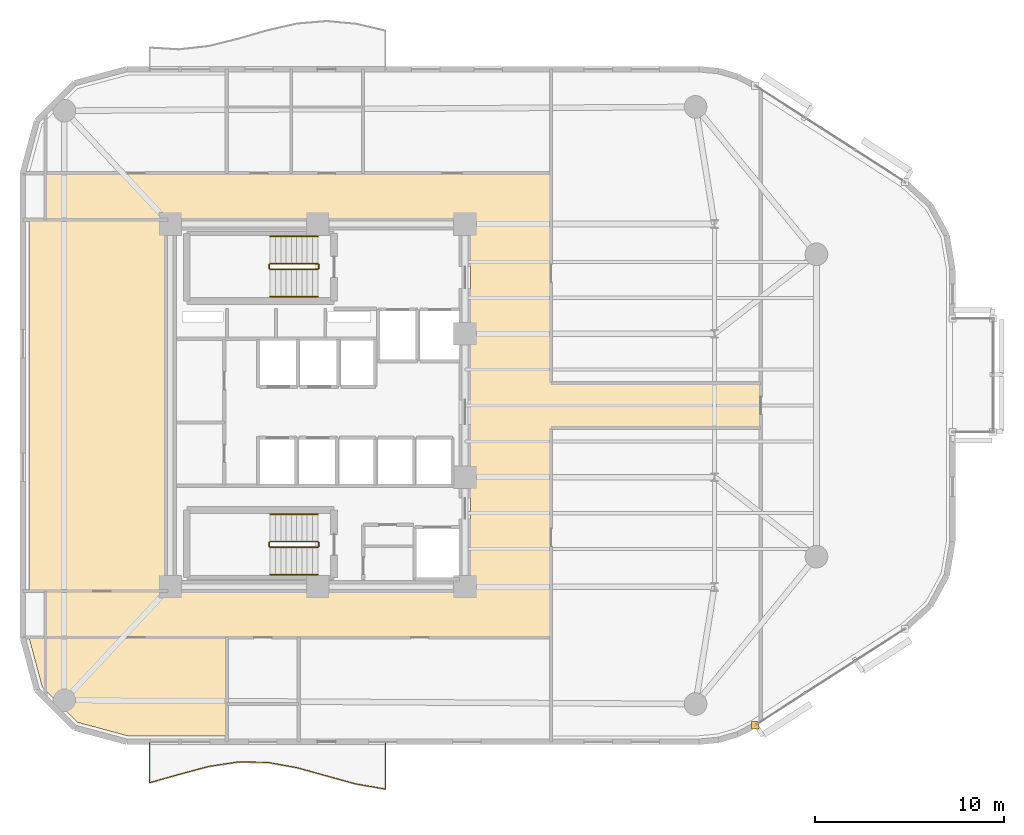
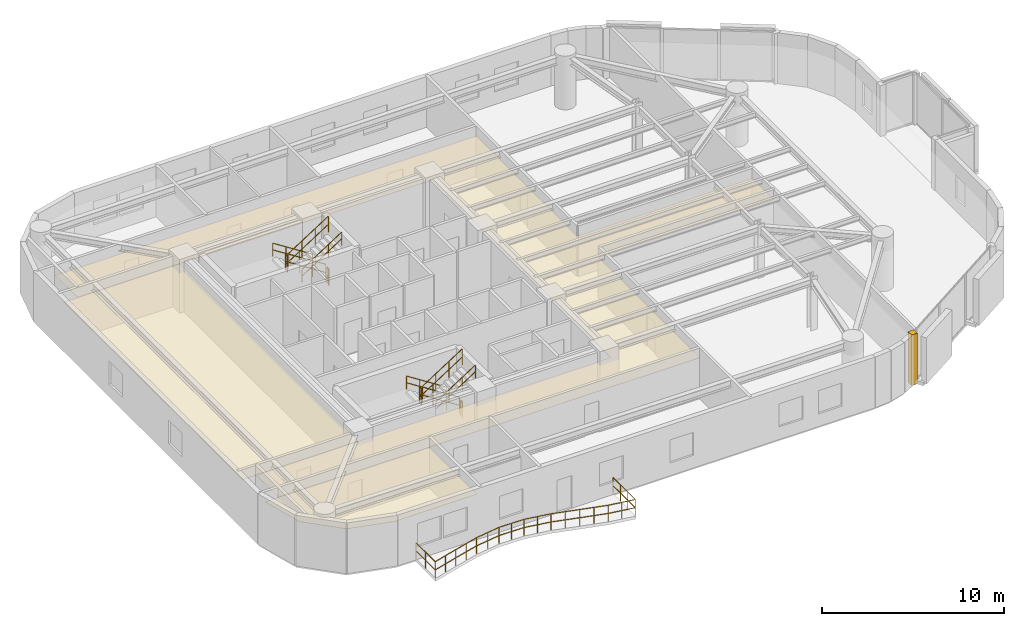
# One storey, part 11 of 12: 13 railings, 4 coverings.
"""IFC4 building model written with IfcOpenShell, lengths in metres."""

from ifc_helpers import new_model, si_unit, direction, frame, origin, origin_2d, place, context, subcontext, project, spatial, polyline, rectangle, circle, outline, extrude, material, layer, layer_set, type_object, element, save


model = new_model("IFC4")

# Units and contexts
model_context = context("Model", 3, precision=1e-05, world=origin(), true_north=direction((0.0, 1.0)))
body_context = subcontext(model_context, "Body", "Model", "MODEL_VIEW")
ifc_project = project(units=[si_unit("LENGTHUNIT", "METRE"), si_unit("AREAUNIT", "SQUARE_METRE"), si_unit("VOLUMEUNIT", "CUBIC_METRE"), si_unit("PLANEANGLEUNIT", "RADIAN"), si_unit("MASSUNIT", "GRAM", prefix="KILO")], contexts=[model_context])

# Site, building, storey
site_placement = place(None, origin())
site = spatial("IfcSite", under=ifc_project, at=site_placement, CompositionType="ELEMENT")
building_placement = place(site_placement, origin())
building = spatial("IfcBuilding", under=site, at=building_placement, Name="An Khanh Terracotta Commons", CompositionType="ELEMENT")
storey_placement = place(building_placement, frame((0.0, 0.0, 161.800048828125)))
storey = spatial("IfcBuildingStorey", under=building, at=storey_placement, Name="L42", CompositionType="ELEMENT", Elevation=161.800048828125)

# Coverings
ifc_material_1 = material(Name="Perforated Mineral-Fibre Acoustic Tile")
ifc_layer_1 = layer(ifc_material_1, 0.02001953125, Name="Perforated Mineral-Fibre Acoustic Tile")
ifc_layer_set_1 = layer_set([ifc_layer_1], Name="Perforated Mineral-Fibre Acoustic Tile")
covering_type_1 = type_object("IfcCoveringType", Name="CEIL-ACOUSTIC-18", PredefinedType="CEILING", material=ifc_layer_set_1)
covering_1_placement = place(storey_placement, frame((0.0, 0.0, 2.64990234375)))
element("IfcCovering", 1, at=covering_1_placement, inside=storey, type_object=covering_type_1, Name="L42 Corridor Ceiling", PredefinedType="CEILING", context=body_context, shape_type="SweptSolid", body=[
    extrude(outline(polyline([(15.0, 11.719970703125), (15.0, 14.179931640625), (37.5, 14.179931640625), (37.5, 33.820068359375), (15.0, 33.820068359375), (15.0, 36.280029296875), (37.5, 36.280029296875), (41.75, 36.280029296875), (41.75, 33.820068359375), (41.75, 25.179931640625), (52.85009765625, 25.179931640625), (52.85009765625, 22.820068359375), (41.75, 22.820068359375), (41.75, 14.179931640625), (41.75, 11.719970703125), (37.5, 11.719970703125), (15.0, 11.719970703125)])), origin(), (0.0, 0.0, 1.0), 0.02001953125),
])
covering_2_placement = place(storey_placement, frame((0.0, 0.0, 2.64990234375)))
element("IfcCovering", 2, at=covering_2_placement, inside=storey, type_object=covering_type_1, Name="L42 Academic Seminar Room Ceiling", PredefinedType="CEILING", context=body_context, shape_type="SweptSolid", body=[
    extrude(outline(polyline([(19.342041015625, 6.52001953125), (16.716064453125, 7.22412109375), (14.823974609375, 9.115966796875), (14.1259765625, 11.719970703125), (15.0, 11.719970703125), (24.60009765625, 11.719970703125), (24.60009765625, 8.199951171875), (24.60009765625, 6.52001953125), (19.342041015625, 6.52001953125)])), origin(), (0.0, 0.0, 1.0), 0.02001953125),
])
covering_3_placement = place(storey_placement, frame((0.0, 0.0, 2.64990234375)))
element("IfcCovering", 3, at=covering_3_placement, inside=storey, type_object=covering_type_1, Name="L42 Riverfront Reading Hall Ceiling", PredefinedType="CEILING", context=body_context, shape_type="SweptSolid", body=[
    extrude(outline(polyline([(14.1201171875, 33.820068359375), (15.0, 33.820068359375), (21.47998046875, 33.820068359375), (21.47998046875, 33.719970703125), (21.47998046875, 14.280029296875), (21.47998046875, 14.179931640625), (15.0, 14.179931640625), (14.1201171875, 14.179931640625), (14.1201171875, 33.820068359375)])), origin(), (0.0, 0.0, 1.0), 0.02001953125),
])
ifc_material_2 = material(Name="Fired Terracotta Rainscreen Cladding", Category="masonry")
ifc_layer_2 = layer(ifc_material_2, 0.080078125, Name="Fired Terracotta Rainscreen Cladding")
ifc_layer_set_2 = layer_set([ifc_layer_2], Name="Fired Terracotta Rainscreen Cladding")
covering_type_2 = type_object("IfcCoveringType", Name="COV-JAMB-TERRA", PredefinedType="CLADDING", material=ifc_layer_set_2)
covering_4_placement = place(storey_placement, frame((52.56005859375, 7.075927734375, 0.0), z_axis=(0.0, 0.0, 1.0), x_axis=(1.0, 0.0, 0.0)))
element("IfcCovering", 4, at=covering_4_placement, inside=storey, type_object=covering_type_2, Name="L42 CW-03 Curtain-Wall Jamb Closure JA", PredefinedType="CLADDING", context=body_context, shape_type="SweptSolid", body=[
    extrude(rectangle(XDim=0.3798828125, YDim=0.3798828125, at=origin_2d()), origin(), (0.0, 0.0, 1.0), 3.39990234375),
])

# Railings
ifc_material_3 = material(Name="Brushed Stainless Steel 316", Category="steel")
railing_type_1 = type_object("IfcRailingType", Name="RAIL-BALUSTRADE-1100", PredefinedType="BALUSTRADE", material=ifc_material_3)
railing_1_placement = place(storey_placement, frame((20.5, 6.139892578125, 0.0)))
element("IfcRailing", 5, at=railing_1_placement, inside=storey, type_object=railing_type_1, Name="L42 S Wave Balcony Guard Balustrade", PredefinedType="BALUSTRADE", context=body_context, shape_type="SweptSolid", body=[
    extrude(circle(Radius=0.02392578125, at=origin_2d()), frame((0.0, 0.0, 1.076171875), z_axis=(0.0, -1.0, 0.0), x_axis=(1.0, 0.0, 0.0)), (0.0, 0.0, 1.0), 2.10498046875),
    extrude(circle(Radius=0.02392578125, at=origin_2d()), frame((0.0, 0.0, 0.52587890625), z_axis=(0.0, -1.0, 0.0), x_axis=(1.0, 0.0, 0.0)), (0.0, 0.0, 1.0), 2.10498046875),
    extrude(circle(Radius=0.02392578125, at=origin_2d()), frame((0.0, -2.10498046875, 1.076171875), z_axis=(0.962196379402, 0.272356618177, 0.0), x_axis=(-0.272356618177, 0.962196379402, 0.0)), (0.0, 0.0, 1.0), 1.623291015625),
    extrude(circle(Radius=0.02392578125, at=origin_2d()), frame((0.0, -2.10498046875, 0.52587890625), z_axis=(0.962196379402, 0.272356618177, 0.0), x_axis=(-0.272356618177, 0.962196379402, 0.0)), (0.0, 0.0, 1.0), 1.623291015625),
    extrude(circle(Radius=0.02392578125, at=origin_2d()), frame((1.56201171875, -1.662841796875, 1.076171875), z_axis=(0.966054375725, 0.258338814627, 0.0), x_axis=(-0.258338814627, 0.966054375725, 0.0)), (0.0, 0.0, 1.0), 1.617919921875),
    extrude(circle(Radius=0.02392578125, at=origin_2d()), frame((1.56201171875, -1.662841796875, 0.52587890625), z_axis=(0.966054375725, 0.258338814627, 0.0), x_axis=(-0.258338814627, 0.966054375725, 0.0)), (0.0, 0.0, 1.0), 1.617919921875),
    extrude(circle(Radius=0.02392578125, at=origin_2d()), frame((3.125, -1.244873046875, 1.076171875), z_axis=(0.988323460888, 0.152370392986, 0.0), x_axis=(-0.152370392986, 0.988323460888, 0.0)), (0.0, 0.0, 1.0), 1.58154296875),
    extrude(circle(Radius=0.02392578125, at=origin_2d()), frame((3.125, -1.244873046875, 0.52587890625), z_axis=(0.988323460888, 0.152370392986, 0.0), x_axis=(-0.152370392986, 0.988323460888, 0.0)), (0.0, 0.0, 1.0), 1.58154296875),
    extrude(circle(Radius=0.02392578125, at=origin_2d()), frame((4.68798828125, -1.00390625, 1.076171875), z_axis=(0.999882711003, -0.015315490103, 0.0), x_axis=(0.015315490103, 0.999882711003, 0.0)), (0.0, 0.0, 1.0), 1.562255859375),
    extrude(circle(Radius=0.02392578125, at=origin_2d()), frame((4.68798828125, -1.00390625, 0.52587890625), z_axis=(0.999882711003, -0.015315490103, 0.0), x_axis=(0.015315490103, 0.999882711003, 0.0)), (0.0, 0.0, 1.0), 1.562255859375),
    extrude(circle(Radius=0.02392578125, at=origin_2d()), frame((6.25, -1.02783203125, 1.076171875), z_axis=(0.984307540876, -0.176461511314, 0.0), x_axis=(0.176461511314, 0.984307540876, 0.0)), (0.0, 0.0, 1.0), 1.5869140625),
    extrude(circle(Radius=0.02392578125, at=origin_2d()), frame((6.25, -1.02783203125, 0.52587890625), z_axis=(0.984307540876, -0.176461511314, 0.0), x_axis=(0.176461511314, 0.984307540876, 0.0)), (0.0, 0.0, 1.0), 1.5869140625),
    extrude(circle(Radius=0.02392578125, at=origin_2d()), frame((7.81201171875, -1.307861328125, 1.076171875), z_axis=(0.963530845868, -0.267597288965, 0.0), x_axis=(0.267597288965, 0.963530845868, 0.0)), (0.0, 0.0, 1.0), 1.6220703125),
    extrude(circle(Radius=0.02392578125, at=origin_2d()), frame((7.81201171875, -1.307861328125, 0.52587890625), z_axis=(0.963530845868, -0.267597288965, 0.0), x_axis=(0.267597288965, 0.963530845868, 0.0)), (0.0, 0.0, 1.0), 1.6220703125),
    extrude(circle(Radius=0.02392578125, at=origin_2d()), frame((9.375, -1.741943359375, 1.076171875), z_axis=(0.964188063465, -0.265219490747, 0.0), x_axis=(0.265219490747, 0.964188063465, 0.0)), (0.0, 0.0, 1.0), 1.62109375),
    extrude(circle(Radius=0.02392578125, at=origin_2d()), frame((9.375, -1.741943359375, 0.52587890625), z_axis=(0.964188063465, -0.265219490747, 0.0), x_axis=(0.265219490747, 0.964188063465, 0.0)), (0.0, 0.0, 1.0), 1.62109375),
    extrude(circle(Radius=0.02392578125, at=origin_2d()), frame((10.93798828125, -2.171875, 1.076171875), z_axis=(0.985591453525, -0.169143391055, 0.0), x_axis=(0.169143391055, 0.985591453525, 0.0)), (0.0, 0.0, 1.0), 1.5849609375),
    extrude(circle(Radius=0.02392578125, at=origin_2d()), frame((10.93798828125, -2.171875, 0.52587890625), z_axis=(0.985591453525, -0.169143391055, 0.0), x_axis=(0.169143391055, 0.985591453525, 0.0)), (0.0, 0.0, 1.0), 1.5849609375),
    extrude(circle(Radius=0.02392578125, at=origin_2d()), frame((12.5, -2.43994140625, 1.076171875), z_axis=(0.0, 1.0, 0.0), x_axis=(-1.0, 0.0, 0.0)), (0.0, 0.0, 1.0), 2.43994140625),
    extrude(circle(Radius=0.02392578125, at=origin_2d()), frame((12.5, -2.43994140625, 0.52587890625), z_axis=(0.0, 1.0, 0.0), x_axis=(-1.0, 0.0, 0.0)), (0.0, 0.0, 1.0), 2.43994140625),
    extrude(circle(Radius=0.02099609375, at=origin_2d()), origin(), (0.0, 0.0, 1.0), 1.052001953125),
    extrude(circle(Radius=0.02099609375, at=origin_2d()), frame((0.0, -1.052490234375, 0.0)), (0.0, 0.0, 1.0), 1.052001953125),
    extrude(circle(Radius=0.02099609375, at=origin_2d()), frame((0.0, -2.10498046875, 0.0)), (0.0, 0.0, 1.0), 1.052001953125),
    extrude(circle(Radius=0.02099609375, at=origin_2d()), frame((0.781005859375, -1.8837890625, 0.0)), (0.0, 0.0, 1.0), 1.052001953125),
    extrude(circle(Radius=0.02099609375, at=origin_2d()), frame((1.56201171875, -1.662841796875, 0.0)), (0.0, 0.0, 1.0), 1.052001953125),
    extrude(circle(Radius=0.02099609375, at=origin_2d()), frame((2.343505859375, -1.453857421875, 0.0)), (0.0, 0.0, 1.0), 1.052001953125),
    extrude(circle(Radius=0.02099609375, at=origin_2d()), frame((3.125, -1.244873046875, 0.0)), (0.0, 0.0, 1.0), 1.052001953125),
    extrude(circle(Radius=0.02099609375, at=origin_2d()), frame((3.906494140625, -1.12451171875, 0.0)), (0.0, 0.0, 1.0), 1.052001953125),
    extrude(circle(Radius=0.02099609375, at=origin_2d()), frame((4.68798828125, -1.00390625, 0.0)), (0.0, 0.0, 1.0), 1.052001953125),
    extrude(circle(Radius=0.02099609375, at=origin_2d()), frame((5.468994140625, -1.015869140625, 0.0)), (0.0, 0.0, 1.0), 1.052001953125),
    extrude(circle(Radius=0.02099609375, at=origin_2d()), frame((6.25, -1.02783203125, 0.0)), (0.0, 0.0, 1.0), 1.052001953125),
    extrude(circle(Radius=0.02099609375, at=origin_2d()), frame((7.031005859375, -1.16796875, 0.0)), (0.0, 0.0, 1.0), 1.052001953125),
    extrude(circle(Radius=0.02099609375, at=origin_2d()), frame((7.81201171875, -1.307861328125, 0.0)), (0.0, 0.0, 1.0), 1.052001953125),
    extrude(circle(Radius=0.02099609375, at=origin_2d()), frame((8.593505859375, -1.52490234375, 0.0)), (0.0, 0.0, 1.0), 1.052001953125),
    extrude(circle(Radius=0.02099609375, at=origin_2d()), frame((9.375, -1.741943359375, 0.0)), (0.0, 0.0, 1.0), 1.052001953125),
    extrude(circle(Radius=0.02099609375, at=origin_2d()), frame((10.156494140625, -1.95703125, 0.0)), (0.0, 0.0, 1.0), 1.052001953125),
    extrude(circle(Radius=0.02099609375, at=origin_2d()), frame((10.93798828125, -2.171875, 0.0)), (0.0, 0.0, 1.0), 1.052001953125),
    extrude(circle(Radius=0.02099609375, at=origin_2d()), frame((11.718994140625, -2.305908203125, 0.0)), (0.0, 0.0, 1.0), 1.052001953125),
    extrude(circle(Radius=0.02099609375, at=origin_2d()), frame((12.5, -2.43994140625, 0.0)), (0.0, 0.0, 1.0), 1.052001953125),
    extrude(circle(Radius=0.02099609375, at=origin_2d()), frame((12.5, -1.626708984375, 0.0)), (0.0, 0.0, 1.0), 1.052001953125),
    extrude(circle(Radius=0.02099609375, at=origin_2d()), frame((12.5, -0.813232421875, 0.0)), (0.0, 0.0, 1.0), 1.052001953125),
    extrude(circle(Radius=0.02099609375, at=origin_2d()), frame((12.5, 0.0, 0.0)), (0.0, 0.0, 1.0), 1.052001953125),
])
railing_type_2 = type_object("IfcRailingType", Name="RAIL-HANDRAIL-900", PredefinedType="HANDRAIL", material=ifc_material_3)
railing_2_placement = place(storey_placement, frame((29.409912109375, 32.949951171875, 0.179931640625)))
element("IfcRailing", 6, at=railing_2_placement, inside=storey, type_object=railing_type_2, Name="L42 ST-01 stair handrail 1", PredefinedType="HANDRAIL", context=body_context, shape_type="SweptSolid", body=[
    extrude(circle(Radius=0.02392578125, at=origin_2d()), frame((0.0, 0.0, 0.8759765625), z_axis=(-0.841162588446, 0.0, 0.540782303519), x_axis=(0.0, -1.0, 0.0)), (0.0, 0.0, 1.0), 2.995849609375),
    extrude(circle(Radius=0.02392578125, at=origin_2d()), frame((0.0, 0.0, 0.42578125), z_axis=(-0.841162588446, 0.0, 0.540782303519), x_axis=(0.0, -1.0, 0.0)), (0.0, 0.0, 1.0), 2.995849609375),
    extrude(circle(Radius=0.02099609375, at=origin_2d()), origin(), (0.0, 0.0, 1.0), 0.851806640625),
    extrude(circle(Radius=0.02099609375, at=origin_2d()), frame((-0.840087890625, 0.0, 0.5400390625)), (0.0, 0.0, 1.0), 0.851806640625),
    extrude(circle(Radius=0.02099609375, at=origin_2d()), frame((-1.679931640625, 0.0, 1.080078125)), (0.0, 0.0, 1.0), 0.851806640625),
    extrude(circle(Radius=0.02099609375, at=origin_2d()), frame((-2.52001953125, 0.0, 1.6201171875)), (0.0, 0.0, 1.0), 0.851806640625),
])
railing_3_placement = place(storey_placement, frame((26.889892578125, 29.75, 1.97998046875)))
element("IfcRailing", 7, at=railing_3_placement, inside=storey, type_object=railing_type_2, Name="L42 ST-01 stair handrail 2", PredefinedType="HANDRAIL", context=body_context, shape_type="SweptSolid", body=[
    extrude(circle(Radius=0.02392578125, at=origin_2d()), frame((0.0, 0.0, 0.8759765625), z_axis=(0.841199657755, 0.0, 0.540724639528), x_axis=(0.0, 1.0, 0.0)), (0.0, 0.0, 1.0), 2.995849609375),
    extrude(circle(Radius=0.02392578125, at=origin_2d()), frame((0.0, 0.0, 0.42578125), z_axis=(0.841199657755, 0.0, 0.540724639528), x_axis=(0.0, 1.0, 0.0)), (0.0, 0.0, 1.0), 2.995849609375),
    extrude(circle(Radius=0.02099609375, at=origin_2d()), origin(), (0.0, 0.0, 1.0), 0.851806640625),
    extrude(circle(Radius=0.02099609375, at=origin_2d()), frame((0.840087890625, 0.0, 0.5400390625)), (0.0, 0.0, 1.0), 0.851806640625),
    extrude(circle(Radius=0.02099609375, at=origin_2d()), frame((1.679931640625, 0.0, 1.079833984375)), (0.0, 0.0, 1.0), 0.851806640625),
    extrude(circle(Radius=0.02099609375, at=origin_2d()), frame((2.52001953125, 0.0, 1.619873046875)), (0.0, 0.0, 1.0), 0.851806640625),
])
railing_4_placement = place(storey_placement, frame((29.409912109375, 18.25, 0.179931640625)))
element("IfcRailing", 8, at=railing_4_placement, inside=storey, type_object=railing_type_2, Name="L42 ST-02 stair handrail 1", PredefinedType="HANDRAIL", context=body_context, shape_type="SweptSolid", body=[
    extrude(circle(Radius=0.02392578125, at=origin_2d()), frame((0.0, 0.0, 0.8759765625), z_axis=(-0.841162588446, 0.0, 0.540782303519), x_axis=(0.0, -1.0, 0.0)), (0.0, 0.0, 1.0), 2.995849609375),
    extrude(circle(Radius=0.02392578125, at=origin_2d()), frame((0.0, 0.0, 0.42578125), z_axis=(-0.841162588446, 0.0, 0.540782303519), x_axis=(0.0, -1.0, 0.0)), (0.0, 0.0, 1.0), 2.995849609375),
    extrude(circle(Radius=0.02099609375, at=origin_2d()), origin(), (0.0, 0.0, 1.0), 0.851806640625),
    extrude(circle(Radius=0.02099609375, at=origin_2d()), frame((-0.840087890625, 0.0, 0.5400390625)), (0.0, 0.0, 1.0), 0.851806640625),
    extrude(circle(Radius=0.02099609375, at=origin_2d()), frame((-1.679931640625, 0.0, 1.080078125)), (0.0, 0.0, 1.0), 0.851806640625),
    extrude(circle(Radius=0.02099609375, at=origin_2d()), frame((-2.52001953125, 0.0, 1.6201171875)), (0.0, 0.0, 1.0), 0.851806640625),
])
railing_5_placement = place(storey_placement, frame((26.889892578125, 15.050048828125, 1.97998046875)))
element("IfcRailing", 9, at=railing_5_placement, inside=storey, type_object=railing_type_2, Name="L42 ST-02 stair handrail 2", PredefinedType="HANDRAIL", context=body_context, shape_type="SweptSolid", body=[
    extrude(circle(Radius=0.02392578125, at=origin_2d()), frame((0.0, 0.0, 0.8759765625), z_axis=(0.841199657755, 0.0, 0.540724639528), x_axis=(0.0, 1.0, 0.0)), (0.0, 0.0, 1.0), 2.995849609375),
    extrude(circle(Radius=0.02392578125, at=origin_2d()), frame((0.0, 0.0, 0.42578125), z_axis=(0.841199657755, 0.0, 0.540724639528), x_axis=(0.0, 1.0, 0.0)), (0.0, 0.0, 1.0), 2.995849609375),
    extrude(circle(Radius=0.02099609375, at=origin_2d()), origin(), (0.0, 0.0, 1.0), 0.851806640625),
    extrude(circle(Radius=0.02099609375, at=origin_2d()), frame((0.840087890625, 0.0, 0.5400390625)), (0.0, 0.0, 1.0), 0.851806640625),
    extrude(circle(Radius=0.02099609375, at=origin_2d()), frame((1.679931640625, 0.0, 1.079833984375)), (0.0, 0.0, 1.0), 0.851806640625),
    extrude(circle(Radius=0.02099609375, at=origin_2d()), frame((2.52001953125, 0.0, 1.619873046875)), (0.0, 0.0, 1.0), 0.851806640625),
])
ifc_material_4 = material(Name="Powder-Coated Steel S355J2", Category="steel")
railing_type_3 = type_object("IfcRailingType", Name="RAIL-STAIR-GUARD-1100", PredefinedType="BALUSTRADE", material=ifc_material_4)
railing_6_placement = place(storey_placement, frame((29.409912109375, 31.5, 0.179931640625)))
element("IfcRailing", 10, at=railing_6_placement, inside=storey, type_object=railing_type_3, Name="L42 ST-01 stair guard 1", PredefinedType="BALUSTRADE", context=body_context, shape_type="SweptSolid", body=[
    extrude(circle(Radius=0.02392578125, at=origin_2d()), frame((0.0, 0.0, 1.076171875), z_axis=(-0.841162588446, 0.0, 0.540782303519), x_axis=(0.0, -1.0, 0.0)), (0.0, 0.0, 1.0), 2.995849609375),
    extrude(circle(Radius=0.02392578125, at=origin_2d()), frame((0.0, 0.0, 0.52587890625), z_axis=(-0.841162588446, 0.0, 0.540782303519), x_axis=(0.0, -1.0, 0.0)), (0.0, 0.0, 1.0), 2.995849609375),
    extrude(circle(Radius=0.02099609375, at=origin_2d()), origin(), (0.0, 0.0, 1.0), 1.052001953125),
    extrude(circle(Radius=0.02099609375, at=origin_2d()), frame((-0.840087890625, 0.0, 0.5400390625)), (0.0, 0.0, 1.0), 1.052001953125),
    extrude(circle(Radius=0.02099609375, at=origin_2d()), frame((-1.679931640625, 0.0, 1.080078125)), (0.0, 0.0, 1.0), 1.052001953125),
    extrude(circle(Radius=0.02099609375, at=origin_2d()), frame((-2.52001953125, 0.0, 1.6201171875)), (0.0, 0.0, 1.0), 1.052001953125),
])
railing_7_placement = place(storey_placement, frame((26.840087890625, 31.449951171875, 1.800048828125)))
element("IfcRailing", 11, at=railing_7_placement, inside=storey, type_object=railing_type_3, Name="L42 ST-01 stair guard 2", PredefinedType="BALUSTRADE", context=body_context, shape_type="SweptSolid", body=[
    extrude(circle(Radius=0.02392578125, at=origin_2d()), frame((0.0, 0.0, 1.076171875), z_axis=(0.0, -1.0, 0.0), x_axis=(1.0, 0.0, 0.0)), (0.0, 0.0, 1.0), 0.199951171875),
    extrude(circle(Radius=0.02392578125, at=origin_2d()), frame((0.0, 0.0, 0.52587890625), z_axis=(0.0, -1.0, 0.0), x_axis=(1.0, 0.0, 0.0)), (0.0, 0.0, 1.0), 0.199951171875),
    extrude(circle(Radius=0.02099609375, at=origin_2d()), origin(), (0.0, 0.0, 1.0), 1.052001953125),
    extrude(circle(Radius=0.02099609375, at=origin_2d()), frame((0.0, -0.199951171875, 0.0)), (0.0, 0.0, 1.0), 1.052001953125),
])
railing_8_placement = place(storey_placement, frame((26.889892578125, 31.199951171875, 1.97998046875)))
element("IfcRailing", 12, at=railing_8_placement, inside=storey, type_object=railing_type_3, Name="L42 ST-01 stair guard 3", PredefinedType="BALUSTRADE", context=body_context, shape_type="SweptSolid", body=[
    extrude(circle(Radius=0.02392578125, at=origin_2d()), frame((0.0, 0.0, 1.076171875), z_axis=(0.841199657755, 0.0, 0.540724639528), x_axis=(0.0, 1.0, 0.0)), (0.0, 0.0, 1.0), 2.995849609375),
    extrude(circle(Radius=0.02392578125, at=origin_2d()), frame((0.0, 0.0, 0.52587890625), z_axis=(0.841199657755, 0.0, 0.540724639528), x_axis=(0.0, 1.0, 0.0)), (0.0, 0.0, 1.0), 2.995849609375),
    extrude(circle(Radius=0.02099609375, at=origin_2d()), origin(), (0.0, 0.0, 1.0), 1.052001953125),
    extrude(circle(Radius=0.02099609375, at=origin_2d()), frame((0.840087890625, 0.0, 0.5400390625)), (0.0, 0.0, 1.0), 1.052001953125),
    extrude(circle(Radius=0.02099609375, at=origin_2d()), frame((1.679931640625, 0.0, 1.079833984375)), (0.0, 0.0, 1.0), 1.052001953125),
    extrude(circle(Radius=0.02099609375, at=origin_2d()), frame((2.52001953125, 0.0, 1.619873046875)), (0.0, 0.0, 1.0), 1.052001953125),
])
railing_9_placement = place(storey_placement, frame((29.4599609375, 31.449951171875, 0.0)))
element("IfcRailing", 13, at=railing_9_placement, inside=storey, type_object=railing_type_3, Name="L42 ST-01 stair guard 4", PredefinedType="BALUSTRADE", context=body_context, shape_type="SweptSolid", body=[
    extrude(circle(Radius=0.02392578125, at=origin_2d()), frame((0.0, 0.0, 1.076171875), z_axis=(0.0, -1.0, 0.0), x_axis=(1.0, 0.0, 0.0)), (0.0, 0.0, 1.0), 0.199951171875),
    extrude(circle(Radius=0.02392578125, at=origin_2d()), frame((0.0, 0.0, 0.52587890625), z_axis=(0.0, -1.0, 0.0), x_axis=(1.0, 0.0, 0.0)), (0.0, 0.0, 1.0), 0.199951171875),
    extrude(circle(Radius=0.02099609375, at=origin_2d()), origin(), (0.0, 0.0, 1.0), 1.052001953125),
    extrude(circle(Radius=0.02099609375, at=origin_2d()), frame((0.0, -0.199951171875, 0.0)), (0.0, 0.0, 1.0), 1.052001953125),
])
railing_10_placement = place(storey_placement, frame((29.409912109375, 16.800048828125, 0.179931640625)))
element("IfcRailing", 14, at=railing_10_placement, inside=storey, type_object=railing_type_3, Name="L42 ST-02 stair guard 1", PredefinedType="BALUSTRADE", context=body_context, shape_type="SweptSolid", body=[
    extrude(circle(Radius=0.02392578125, at=origin_2d()), frame((0.0, 0.0, 1.076171875), z_axis=(-0.841162588446, 0.0, 0.540782303519), x_axis=(0.0, -1.0, 0.0)), (0.0, 0.0, 1.0), 2.995849609375),
    extrude(circle(Radius=0.02392578125, at=origin_2d()), frame((0.0, 0.0, 0.52587890625), z_axis=(-0.841162588446, 0.0, 0.540782303519), x_axis=(0.0, -1.0, 0.0)), (0.0, 0.0, 1.0), 2.995849609375),
    extrude(circle(Radius=0.02099609375, at=origin_2d()), origin(), (0.0, 0.0, 1.0), 1.052001953125),
    extrude(circle(Radius=0.02099609375, at=origin_2d()), frame((-0.840087890625, 0.0, 0.5400390625)), (0.0, 0.0, 1.0), 1.052001953125),
    extrude(circle(Radius=0.02099609375, at=origin_2d()), frame((-1.679931640625, 0.0, 1.080078125)), (0.0, 0.0, 1.0), 1.052001953125),
    extrude(circle(Radius=0.02099609375, at=origin_2d()), frame((-2.52001953125, 0.0, 1.6201171875)), (0.0, 0.0, 1.0), 1.052001953125),
])
railing_11_placement = place(storey_placement, frame((26.840087890625, 16.75, 1.800048828125)))
element("IfcRailing", 15, at=railing_11_placement, inside=storey, type_object=railing_type_3, Name="L42 ST-02 stair guard 2", PredefinedType="BALUSTRADE", context=body_context, shape_type="SweptSolid", body=[
    extrude(circle(Radius=0.02392578125, at=origin_2d()), frame((0.0, 0.0, 1.076171875), z_axis=(0.0, -1.0, 0.0), x_axis=(1.0, 0.0, 0.0)), (0.0, 0.0, 1.0), 0.199951171875),
    extrude(circle(Radius=0.02392578125, at=origin_2d()), frame((0.0, 0.0, 0.52587890625), z_axis=(0.0, -1.0, 0.0), x_axis=(1.0, 0.0, 0.0)), (0.0, 0.0, 1.0), 0.199951171875),
    extrude(circle(Radius=0.02099609375, at=origin_2d()), origin(), (0.0, 0.0, 1.0), 1.052001953125),
    extrude(circle(Radius=0.02099609375, at=origin_2d()), frame((0.0, -0.199951171875, 0.0)), (0.0, 0.0, 1.0), 1.052001953125),
])
railing_12_placement = place(storey_placement, frame((26.889892578125, 16.5, 1.97998046875)))
element("IfcRailing", 16, at=railing_12_placement, inside=storey, type_object=railing_type_3, Name="L42 ST-02 stair guard 3", PredefinedType="BALUSTRADE", context=body_context, shape_type="SweptSolid", body=[
    extrude(circle(Radius=0.02392578125, at=origin_2d()), frame((0.0, 0.0, 1.076171875), z_axis=(0.841199657755, 0.0, 0.540724639528), x_axis=(0.0, 1.0, 0.0)), (0.0, 0.0, 1.0), 2.995849609375),
    extrude(circle(Radius=0.02392578125, at=origin_2d()), frame((0.0, 0.0, 0.52587890625), z_axis=(0.841199657755, 0.0, 0.540724639528), x_axis=(0.0, 1.0, 0.0)), (0.0, 0.0, 1.0), 2.995849609375),
    extrude(circle(Radius=0.02099609375, at=origin_2d()), origin(), (0.0, 0.0, 1.0), 1.052001953125),
    extrude(circle(Radius=0.02099609375, at=origin_2d()), frame((0.840087890625, 0.0, 0.5400390625)), (0.0, 0.0, 1.0), 1.052001953125),
    extrude(circle(Radius=0.02099609375, at=origin_2d()), frame((1.679931640625, 0.0, 1.079833984375)), (0.0, 0.0, 1.0), 1.052001953125),
    extrude(circle(Radius=0.02099609375, at=origin_2d()), frame((2.52001953125, 0.0, 1.619873046875)), (0.0, 0.0, 1.0), 1.052001953125),
])
railing_13_placement = place(storey_placement, frame((29.4599609375, 16.75, 0.0)))
element("IfcRailing", 17, at=railing_13_placement, inside=storey, type_object=railing_type_3, Name="L42 ST-02 stair guard 4", PredefinedType="BALUSTRADE", context=body_context, shape_type="SweptSolid", body=[
    extrude(circle(Radius=0.02392578125, at=origin_2d()), frame((0.0, 0.0, 1.076171875), z_axis=(0.0, -1.0, 0.0), x_axis=(1.0, 0.0, 0.0)), (0.0, 0.0, 1.0), 0.199951171875),
    extrude(circle(Radius=0.02392578125, at=origin_2d()), frame((0.0, 0.0, 0.52587890625), z_axis=(0.0, -1.0, 0.0), x_axis=(1.0, 0.0, 0.0)), (0.0, 0.0, 1.0), 0.199951171875),
    extrude(circle(Radius=0.02099609375, at=origin_2d()), origin(), (0.0, 0.0, 1.0), 1.052001953125),
    extrude(circle(Radius=0.02099609375, at=origin_2d()), frame((0.0, -0.199951171875, 0.0)), (0.0, 0.0, 1.0), 1.052001953125),
])

save(model, "model.ifc")
